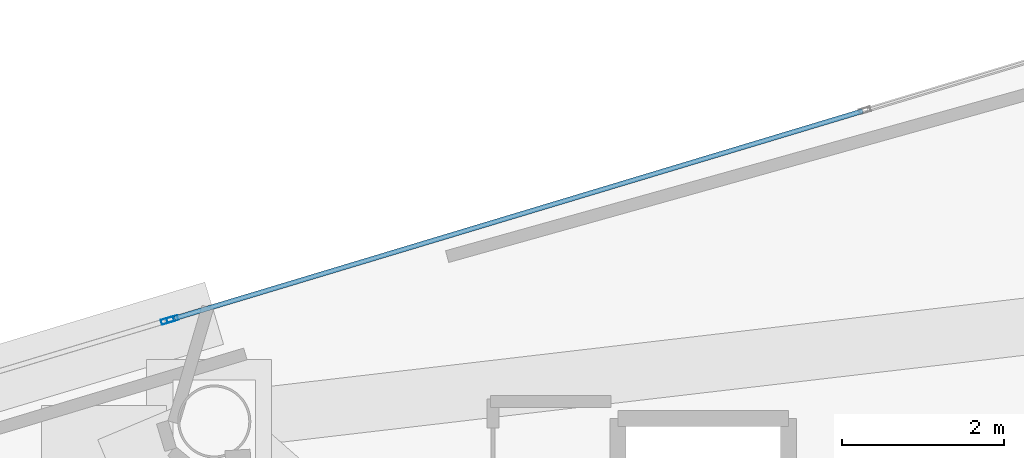
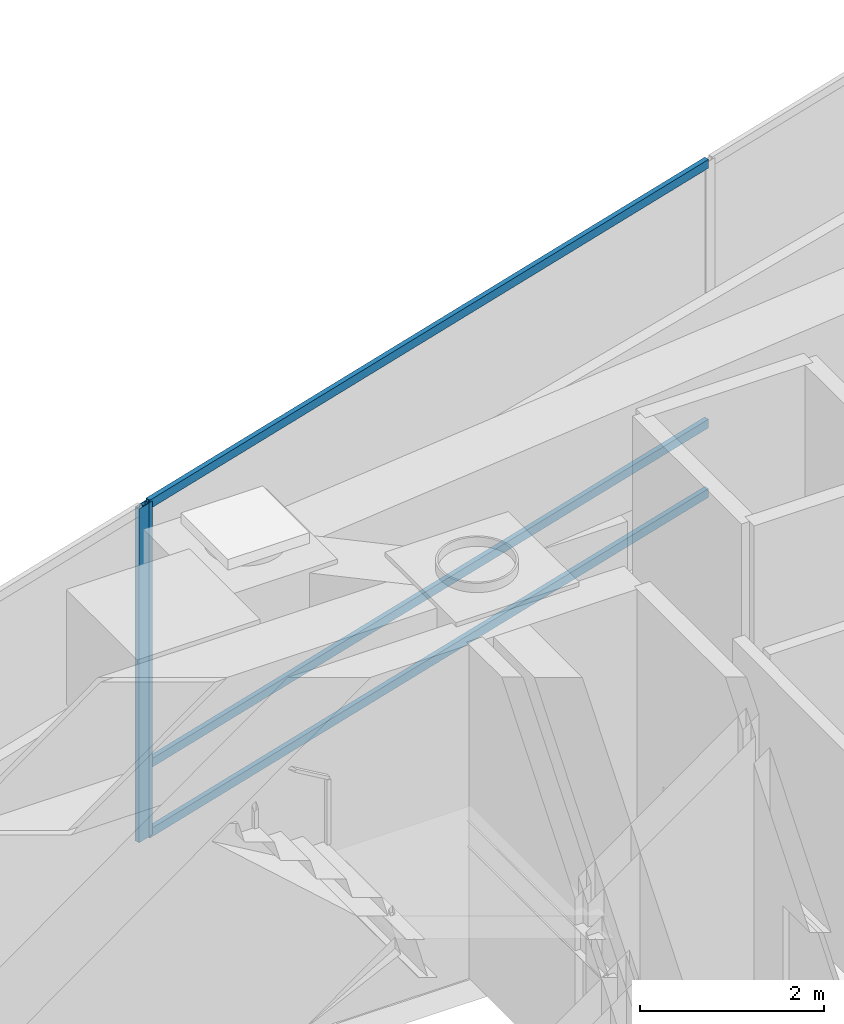
# One storey, part 11 of 20: 5 members, 2 elements without a shape of their own.
"""IFC4 building model written with IfcOpenShell, lengths in metres."""

from ifc_helpers import new_model, si_unit, direction, frame, origin, origin_2d, place, context, subcontext, project, spatial, hollow_rectangle, extrude, material, layer, layer_set, material_profile, profile_set, type_object, element, aggregate, save


model = new_model("IFC4")

# Units and contexts
model_context = context("Model", 3, precision=1e-05, world=origin(), true_north=direction((0.0, 1.0)))
body_context = subcontext(model_context, "Body", "Model", "MODEL_VIEW")
ifc_project = project(units=[si_unit("LENGTHUNIT", "METRE"), si_unit("AREAUNIT", "SQUARE_METRE"), si_unit("VOLUMEUNIT", "CUBIC_METRE"), si_unit("PLANEANGLEUNIT", "RADIAN"), si_unit("MASSUNIT", "GRAM", prefix="KILO")], contexts=[model_context])

# Site, building, storey
site_placement = place(None, origin())
site = spatial("IfcSite", under=ifc_project, at=site_placement, CompositionType="ELEMENT")
building_placement = place(site_placement, origin())
building = spatial("IfcBuilding", under=site, at=building_placement, Name="Qianvela Tower", CompositionType="ELEMENT")
storey_placement = place(building_placement, frame((0.0, 0.0, 321.300048828125)))
storey = spatial("IfcBuildingStorey", under=building, at=storey_placement, Name="L83", CompositionType="ELEMENT", Elevation=321.300048828125)

# Curtain wall, member
ifc_material_1 = material(Name="Anodised Architectural Aluminium and Insulated Spandrel Panel", Category="aluminium")
ifc_layer_1 = layer(ifc_material_1, 0.179931640625)
ifc_layer_set_1 = layer_set([ifc_layer_1], Name="Anodised Architectural Aluminium and Insulated Spandrel Panel")
curtain_wall_type_1 = type_object("IfcCurtainWallType", Name="CW-BRACEBAY", PredefinedType="USERDEFINED", material=ifc_layer_set_1)
curtain_wall_1_placement = place(storey_placement, origin())
curtain_wall_1 = element("IfcCurtainWall", 1, at=curtain_wall_1_placement, inside=storey, type_object=curtain_wall_type_1, Name="L83 CW-BRACEBAY Curtain Wall 02B", ObjectType="CURTAIN_WALL_SYSTEM", PredefinedType="USERDEFINED")
ifc_material_2 = material(Name="Anodised Architectural Aluminium 6063-T6", Category="aluminium")
ifc_material_profile_1 = material_profile(ifc_material_2, hollow_rectangle(XDim=0.06494140625, YDim=0.159912109375, WallThickness=0.0048828125, at=origin_2d()), Name="ALU-MULL-65x160")
ifc_profile_set_1 = profile_set([ifc_material_profile_1], Name="Anodised Architectural Aluminium 6063-T6")
member_type_1 = type_object("IfcMemberType", Name="CW-BRACEBAY-MULL", PredefinedType="MULLION", material=ifc_profile_set_1)
member_1_placement = place(storey_placement, frame((35.900390625, 36.486572265625, 0.0), z_axis=(0.0, 0.0, 1.0), x_axis=(0.288476777754, -0.95748689218, 0.0)))
member_1 = element("IfcMember", 2, at=member_1_placement, type_object=member_type_1, Name="CW-9 mullion 1", PredefinedType="MULLION", context=body_context, shape_type="SweptSolid", body=[
    extrude(hollow_rectangle(XDim=0.06494140625, YDim=0.159912109375, WallThickness=0.0048828125, at=origin_2d()), origin(), (0.0, 0.0, 1.0), 4.419921875),
])
aggregate(curtain_wall_1, [member_1])

# Curtain wall, members
ifc_material_3 = material(Name="Anodised Architectural Aluminium and Low-E Glass", Category="aluminium")
ifc_layer_2 = layer(ifc_material_3, 0.14990234375)
ifc_layer_set_2 = layer_set([ifc_layer_2], Name="Anodised Architectural Aluminium and Low-E Glass")
curtain_wall_type_2 = type_object("IfcCurtainWallType", Name="CW-COLIV-Z78", PredefinedType="USERDEFINED", material=ifc_layer_set_2)
curtain_wall_2_placement = place(storey_placement, origin())
curtain_wall_2 = element("IfcCurtainWall", 3, at=curtain_wall_2_placement, inside=storey, type_object=curtain_wall_type_2, Name="L83 CW-COLIV-Z78 Curtain Wall 02A", ObjectType="CURTAIN_WALL_SYSTEM", PredefinedType="USERDEFINED")
ifc_material_4 = material(Name="Anodised Architectural Aluminium 6063-T6", Category="aluminium")
ifc_material_profile_2 = material_profile(ifc_material_4, hollow_rectangle(XDim=0.06005859375, YDim=0.139892578125, WallThickness=0.00439453125, at=origin_2d()), Name="ALU-MULL-60x140")
ifc_profile_set_2 = profile_set([ifc_material_profile_2], Name="Anodised Architectural Aluminium 6063-T6")
member_type_2 = type_object("IfcMemberType", Name="CW-COLIV-Z78-MULL", PredefinedType="MULLION", material=ifc_profile_set_2)
member_2_placement = place(storey_placement, frame((35.960205078125, 36.504638671875, 0.0), z_axis=(0.0, 0.0, 1.0), x_axis=(0.288479597216, -0.957486042713, 0.0)))
member_2 = element("IfcMember", 4, at=member_2_placement, type_object=member_type_2, Name="CW-6 mullion 3", PredefinedType="MULLION", context=body_context, shape_type="SweptSolid", body=[
    extrude(hollow_rectangle(XDim=0.06005859375, YDim=0.139892578125, WallThickness=0.00439453125, at=origin_2d()), origin(), (0.0, 0.0, 1.0), 4.419921875),
])
ifc_material_5 = material(Name="Anodised Architectural Aluminium 6063-T6", Category="aluminium")
ifc_material_profile_3 = material_profile(ifc_material_5, hollow_rectangle(XDim=0.06005859375, YDim=0.114990234375, WallThickness=0.00390625, at=origin_2d()), Name="ALU-TRAN-60x115")
ifc_profile_set_3 = profile_set([ifc_material_profile_3], Name="Anodised Architectural Aluminium 6063-T6")
member_type_3 = type_object("IfcMemberType", Name="CW-COLIV-Z78-TRAN", PredefinedType="USERDEFINED", material=ifc_profile_set_3)
member_3_placement = place(storey_placement, frame((44.462890625, 39.06640625, 0.030029296875), z_axis=(-0.957489279919, -0.288468852462, 0.0), x_axis=(0.288468852462, -0.957489279919, 0.0)))
member_3 = element("IfcMember", 5, at=member_3_placement, type_object=member_type_3, Name="CW-6 transom 2.1", ObjectType="TRANSOM", PredefinedType="USERDEFINED", context=body_context, shape_type="SweptSolid", body=[
    extrude(hollow_rectangle(XDim=0.06005859375, YDim=0.114990234375, WallThickness=0.00390625, at=origin_2d()), origin(), (0.0, 0.0, 1.0), 8.85009765625),
])
member_4_placement = place(storey_placement, frame((44.462890625, 39.06640625, 0.949951171875), z_axis=(-0.957489279919, -0.288468852462, 0.0), x_axis=(0.288468852462, -0.957489279919, 0.0)))
member_4 = element("IfcMember", 6, at=member_4_placement, type_object=member_type_3, Name="CW-6 transom 2.2", ObjectType="TRANSOM", PredefinedType="USERDEFINED", context=body_context, shape_type="SweptSolid", body=[
    extrude(hollow_rectangle(XDim=0.06005859375, YDim=0.114990234375, WallThickness=0.00390625, at=origin_2d()), origin(), (0.0, 0.0, 1.0), 8.85009765625),
])
member_5_placement = place(storey_placement, frame((44.462890625, 39.06640625, 4.389892578125), z_axis=(-0.957489279919, -0.288468852462, 0.0), x_axis=(0.288468852462, -0.957489279919, 0.0)))
member_5 = element("IfcMember", 7, at=member_5_placement, type_object=member_type_3, Name="CW-6 transom 2.3", ObjectType="TRANSOM", PredefinedType="USERDEFINED", context=body_context, shape_type="SweptSolid", body=[
    extrude(hollow_rectangle(XDim=0.06005859375, YDim=0.114990234375, WallThickness=0.00390625, at=origin_2d()), origin(), (0.0, 0.0, 1.0), 8.85009765625),
])
aggregate(curtain_wall_2, [member_2, member_3, member_4, member_5])

save(model, "model.ifc")
